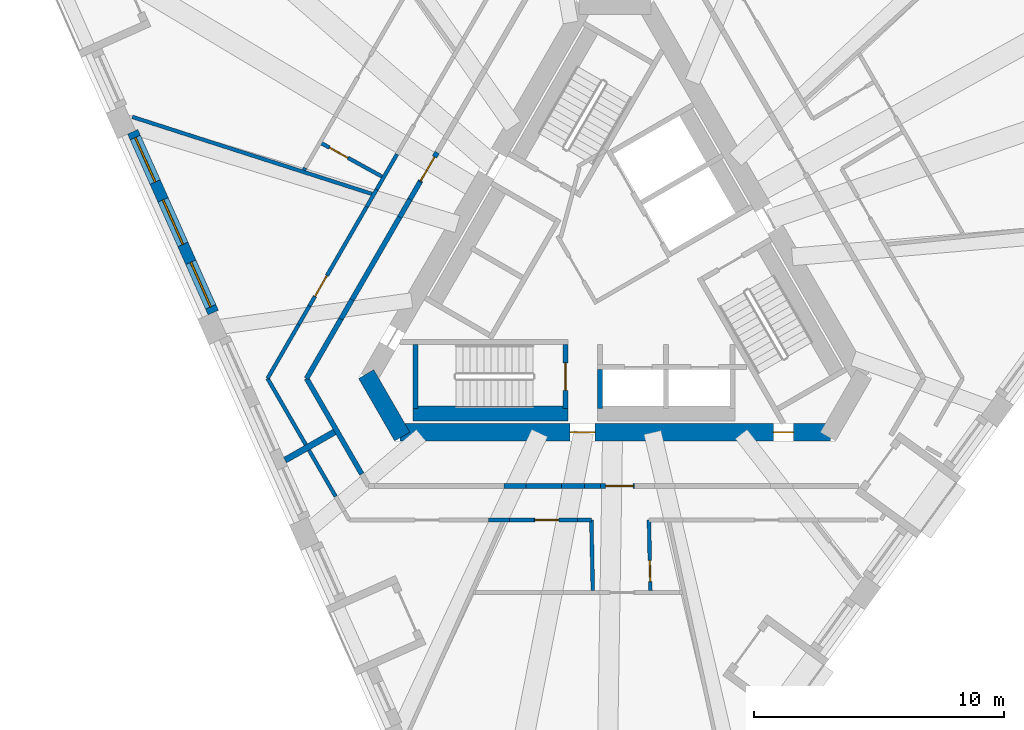
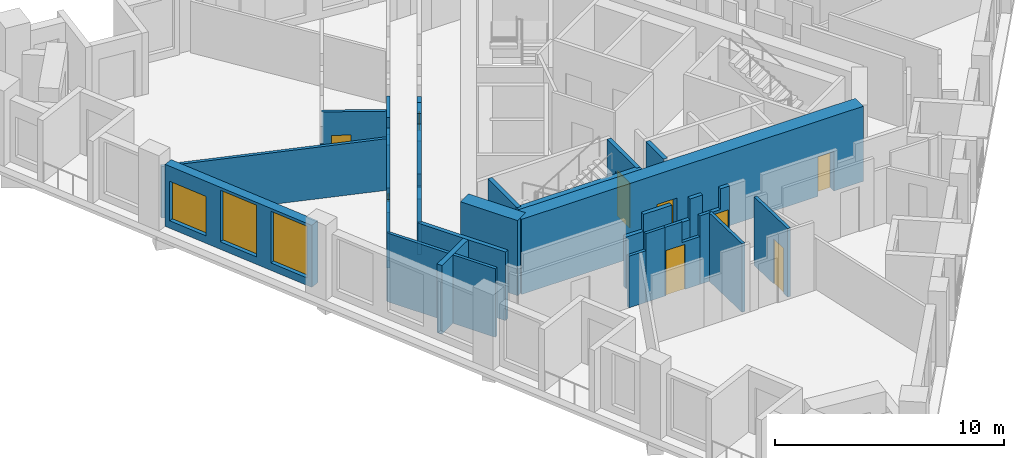
# One storey, part 3 of 11: 35 walls, 9 doors, 3 windows, 12 openings.
"""IFC4 building model written with IfcOpenShell, lengths in metres."""

from ifc_helpers import new_model, si_unit, direction, frame, frame_2d, origin, place, context, subcontext, project, spatial, polyline, rectangle, outline, extrude, material, layer, layer_set, type_object, element, fill, save


model = new_model("IFC4")

# Units and contexts
model_context = context("Model", 3, precision=1e-05, world=origin(), true_north=direction((0.0, 1.0)))
body_context = subcontext(model_context, "Body", "Model", "MODEL_VIEW")
ifc_project = project(units=[si_unit("LENGTHUNIT", "METRE"), si_unit("AREAUNIT", "SQUARE_METRE"), si_unit("VOLUMEUNIT", "CUBIC_METRE"), si_unit("PLANEANGLEUNIT", "RADIAN"), si_unit("MASSUNIT", "GRAM", prefix="KILO")], contexts=[model_context])

# Site, building, storey
site_placement = place(None, origin())
site = spatial("IfcSite", under=ifc_project, at=site_placement, CompositionType="ELEMENT")
building_placement = place(site_placement, origin())
building = spatial("IfcBuilding", under=site, at=building_placement, Name="Tramontana Tower", CompositionType="ELEMENT")
storey_placement = place(building_placement, frame((0.0, 0.0, 241.199951171875)))
storey = spatial("IfcBuildingStorey", under=building, at=storey_placement, Name="L56", CompositionType="ELEMENT", Elevation=241.199951171875)

# Wall
ifc_material_1 = material(Name="Concrete 70 MPa", Category="concrete")
ifc_layer_1 = layer(ifc_material_1, 0.699951171875)
ifc_layer_set_1 = layer_set([ifc_layer_1], Name="Core wall 700 70 MPa")
wall_type_1 = type_object("IfcWallType", Name="Core wall 700 70 MPa", PredefinedType="SHEAR", material=ifc_layer_set_1)
wall_1_placement = place(storey_placement, frame((-9.94482421875, -4.074951171875, 0.0), z_axis=(0.0, 0.0, 1.0), x_axis=(0.499995765644, -0.866027848477, 0.0)))
element("IfcWall", 1, at=wall_1_placement, inside=storey, type_object=wall_type_1, Name="Core wall C2 L56", PredefinedType="SHEAR", context=body_context, shape_type="SweptSolid", body=[
    extrude(rectangle(XDim=2.88671875, YDim=0.699951171875, at=frame_2d((1.443359375, 0.0))), origin(), (0.0, 0.0, 1.0), 4.0),
])

# Wall, openings, doors
wall_2_placement = place(storey_placement, frame((-8.6025390625, -6.39990234375, 0.0), z_axis=(0.0, 0.0, 1.0), x_axis=(1.0, 0.0, 0.0)))
wall_2 = element("IfcWall", 2, at=wall_2_placement, inside=storey, type_object=wall_type_1, Name="Core wall C3 L56", PredefinedType="SHEAR", context=body_context, shape_type="SweptSolid", body=[
    extrude(rectangle(XDim=17.205078125, YDim=0.699951171875, at=frame_2d((8.6025390625, 0.0))), origin(), (0.0, 0.0, 1.0), 4.0),
])
opening_1_placement = place(wall_2_placement, frame((6.8076171875, 0.0, 0.0)))
opening_1 = element("IfcOpeningElement", 3, at=opening_1_placement, cuts=wall_2, Name="Opening RG2", PredefinedType="OPENING", context=body_context, shape_type="SweptSolid", body=[
    extrude(rectangle(XDim=1.0, YDim=2.39990234375, at=frame_2d((0.5, 1.199951171875))), frame((0.0, 0.35986328125, 0.0), z_axis=(0.0, -1.0, 0.0), x_axis=(1.0, 0.0, 0.0)), (0.0, 0.0, 1.0), 0.719970703125),
])
opening_2_placement = place(wall_2_placement, frame((14.921630859375, 0.0, 0.0)))
opening_2 = element("IfcOpeningElement", 4, at=opening_2_placement, cuts=wall_2, Name="Opening PD2", PredefinedType="OPENING", context=body_context, shape_type="SweptSolid", body=[
    extrude(rectangle(XDim=0.800048828125, YDim=2.10009765625, at=frame_2d((0.39990234375, 1.050048828125))), frame((0.0, 0.35986328125, 0.0), z_axis=(0.0, -1.0, 0.0), x_axis=(1.0, 0.0, 0.0)), (0.0, 0.0, 1.0), 0.719970703125),
])
ifc_material_2 = material(Name="Painted steel", Category="steel")
door_type_1 = type_object("IfcDoorType", Name="CUPBOARD DOOR 800", OperationType="SINGLE_SWING_LEFT", PredefinedType="DOOR", material=ifc_material_2)
door_1_placement = place(opening_2_placement, origin())
door_1 = element("IfcDoor", 5, at=door_1_placement, inside=storey, type_object=door_type_1, Name="Door PD2", OperationType="SINGLE_SWING_RIGHT", OverallHeight=2.10009765625, OverallWidth=0.800048828125, PredefinedType="DOOR", context=body_context, shape_type="SweptSolid", body=[
    extrude(rectangle(XDim=0.800048828125, YDim=2.10009765625, at=frame_2d((0.39990234375, 1.050048828125))), frame((0.0, 0.02490234375, 0.0), z_axis=(0.0, -1.0, 0.0), x_axis=(1.0, 0.0, 0.0)), (0.0, 0.0, 1.0), 0.050048828125),
])
fill(opening_2, door_1)
ifc_material_3 = material(Name="Painted steel", Category="steel")
door_type_2 = type_object("IfcDoorType", Name="RING DOOR 1000", OperationType="SINGLE_SWING_LEFT", PredefinedType="DOOR", material=ifc_material_3)
door_2_placement = place(opening_1_placement, origin())
door_2 = element("IfcDoor", 6, at=door_2_placement, inside=storey, type_object=door_type_2, Name="Door RG2", OperationType="SINGLE_SWING_LEFT", OverallHeight=2.39990234375, OverallWidth=1.0, PredefinedType="DOOR", context=body_context, shape_type="SweptSolid", body=[
    extrude(rectangle(XDim=1.0, YDim=2.39990234375, at=frame_2d((0.5, 1.199951171875))), frame((0.0, 0.02490234375, 0.0), z_axis=(0.0, -1.0, 0.0), x_axis=(1.0, 0.0, 0.0)), (0.0, 0.0, 1.0), 0.050048828125),
])
fill(opening_1, door_2)

# Wall, opening, door
ifc_material_4 = material(Name="Blockwork", Category="masonry")
ifc_layer_2 = layer(ifc_material_4, 0.199951171875)
ifc_layer_set_2 = layer_set([ifc_layer_2], Name="ENTRY WALL 200")
wall_type_2 = type_object("IfcWallType", Name="ENTRY WALL 200", PredefinedType="SOLIDWALL", material=ifc_layer_set_2)
wall_3_placement = place(storey_placement, frame((0.774169921875, -8.550048828125, 0.0), z_axis=(0.0, 0.0, 1.0), x_axis=(-1.0, 0.0, 0.0)))
wall_3 = element("IfcWall", 7, at=wall_3_placement, inside=storey, type_object=wall_type_2, Name="Wall v60-ew1-5", PredefinedType="SOLIDWALL", context=body_context, shape_type="SweptSolid", body=[
    extrude(outline(polyline([(0.0, 0.0), (1.359375, 0.0), (1.359375, 2.550048828125), (0.459228515625, 2.550048828125), (0.459228515625, 3.650146484375), (0.0, 3.650146484375), (0.0, 0.0)])), frame((0.0, 0.10009765625, 0.0), z_axis=(0.0, -1.0, 0.0), x_axis=(1.0, 0.0, 0.0)), (0.0, 0.0, 1.0), 0.199951171875),
])
opening_3_placement = place(wall_3_placement, frame((0.050048828125, 0.0, 0.0)))
opening_3 = element("IfcOpeningElement", 8, at=opening_3_placement, cuts=wall_3, Name="Opening B6A-18", PredefinedType="OPENING", context=body_context, shape_type="SweptSolid", body=[
    extrude(rectangle(XDim=1.10009765625, YDim=2.39990234375, at=frame_2d((0.550048828125, 1.199951171875))), frame((0.0, 0.10986328125, 0.0), z_axis=(0.0, -1.0, 0.0), x_axis=(1.0, 0.0, 0.0)), (0.0, 0.0, 1.0), 0.219970703125),
])
ifc_material_5 = material(Name="Painted timber", Category="wood")
door_type_3 = type_object("IfcDoorType", Name="DOOR ENTRY 1100", OperationType="SINGLE_SWING_LEFT", PredefinedType="DOOR", material=ifc_material_5)
door_3_placement = place(opening_3_placement, origin())
door_3 = element("IfcDoor", 9, at=door_3_placement, inside=storey, type_object=door_type_3, Name="Door B6A-18", OperationType="SINGLE_SWING_RIGHT", OverallHeight=2.39990234375, OverallWidth=1.10009765625, PredefinedType="DOOR", context=body_context, shape_type="SweptSolid", body=[
    extrude(rectangle(XDim=1.10009765625, YDim=2.39990234375, at=frame_2d((0.550048828125, 1.199951171875))), frame((0.0, 0.02490234375, 0.0), z_axis=(0.0, -1.0, 0.0), x_axis=(1.0, 0.0, 0.0)), (0.0, 0.0, 1.0), 0.050048828125),
])
fill(opening_3, door_3)

# Walls
wall_4_placement = place(storey_placement, frame((-0.585205078125, -8.550048828125, 0.0), z_axis=(0.0, 0.0, 1.0), x_axis=(-1.0, 0.0, 0.0)))
element("IfcWall", 10, at=wall_4_placement, inside=storey, type_object=wall_type_2, Name="Wall v60-ew1-6", PredefinedType="SOLIDWALL", context=body_context, shape_type="SweptSolid", body=[
    extrude(rectangle(XDim=0.6328125, YDim=0.199951171875, at=frame_2d((0.31640625, 0.0))), origin(), (0.0, 0.0, 1.0), 3.650146484375),
])
wall_5_placement = place(storey_placement, frame((-1.218017578125, -8.550048828125, 0.0), z_axis=(0.0, 0.0, 1.0), x_axis=(-1.0, 0.0, 0.0)))
element("IfcWall", 11, at=wall_5_placement, inside=storey, type_object=wall_type_2, Name="Wall v60-ew1-7", PredefinedType="SOLIDWALL", context=body_context, shape_type="SweptSolid", body=[
    extrude(rectangle(XDim=0.9169921875, YDim=0.199951171875, at=frame_2d((0.45849609375, 0.0))), origin(), (0.0, 0.0, 1.0), 2.550048828125),
])
wall_6_placement = place(storey_placement, frame((-2.135009765625, -8.550048828125, 0.0), z_axis=(0.0, 0.0, 1.0), x_axis=(-1.0, 0.0, 0.0)))
element("IfcWall", 12, at=wall_6_placement, inside=storey, type_object=wall_type_2, Name="Wall v60-ew1-8", PredefinedType="SOLIDWALL", context=body_context, shape_type="SweptSolid", body=[
    extrude(rectangle(XDim=1.4296875, YDim=0.199951171875, at=frame_2d((0.71484375, 0.0))), origin(), (0.0, 0.0, 1.0), 3.650146484375),
])
wall_7_placement = place(storey_placement, frame((-3.564697265625, -8.550048828125, 0.0), z_axis=(0.0, 0.0, 1.0), x_axis=(-1.0, 0.0, 0.0)))
element("IfcWall", 13, at=wall_7_placement, inside=storey, type_object=wall_type_2, Name="Wall v60-ew1-9", PredefinedType="SOLIDWALL", context=body_context, shape_type="SweptSolid", body=[
    extrude(rectangle(XDim=0.88330078125, YDim=0.199951171875, at=frame_2d((0.441650390625, 0.0))), origin(), (0.0, 0.0, 1.0), 2.75),
])
wall_8_placement = place(storey_placement, frame((-10.12255859375, -8.067138671875, 0.0), z_axis=(0.0, 0.0, 1.0), x_axis=(-0.500005339912, 0.866022320763, 0.0)))
element("IfcWall", 14, at=wall_8_placement, inside=storey, type_object=wall_type_2, Name="Wall v60-ew2-1", PredefinedType="SOLIDWALL", context=body_context, shape_type="SweptSolid", body=[
    extrude(rectangle(XDim=4.40771484375, YDim=0.199951171875, at=frame_2d((2.203857421875, 0.0))), origin(), (0.0, 0.0, 1.0), 3.650146484375),
])
wall_9_placement = place(storey_placement, frame((-12.326416015625, -4.25, 0.0), z_axis=(0.0, 0.0, 1.0), x_axis=(0.499994514761, 0.866028570666, 0.0)))
element("IfcWall", 15, at=wall_9_placement, inside=storey, type_object=wall_type_2, Name="Wall v60-ew3-0", PredefinedType="SOLIDWALL", context=body_context, shape_type="SweptSolid", body=[
    extrude(rectangle(XDim=2.74462890625, YDim=0.199951171875, at=frame_2d((1.372314453125, 0.0))), origin(), (0.0, 0.0, 1.0), 3.650146484375),
])
wall_10_placement = place(storey_placement, frame((-10.9541015625, -1.873046875, 0.0), z_axis=(0.0, 0.0, 1.0), x_axis=(0.500016243463, 0.866016025414, 0.0)))
element("IfcWall", 16, at=wall_10_placement, inside=storey, type_object=wall_type_2, Name="Wall v60-ew3-1", PredefinedType="SOLIDWALL", context=body_context, shape_type="SweptSolid", body=[
    extrude(rectangle(XDim=0.88720703125, YDim=0.199951171875, at=frame_2d((0.443603515625, 0.0))), origin(), (0.0, 0.0, 1.0), 2.949951171875),
])
wall_11_placement = place(storey_placement, frame((-10.510498046875, -1.104736328125, 0.0), z_axis=(0.0, 0.0, 1.0), x_axis=(0.499997905474, 0.866026613056, 0.0)))
element("IfcWall", 17, at=wall_11_placement, inside=storey, type_object=wall_type_2, Name="Wall v60-ew3-2", PredefinedType="SOLIDWALL", context=body_context, shape_type="SweptSolid", body=[
    extrude(rectangle(XDim=3.810546875, YDim=0.199951171875, at=frame_2d((1.9052734375, 0.0))), origin(), (0.0, 0.0, 1.0), 3.650146484375),
])
wall_12_placement = place(storey_placement, frame((-8.605224609375, 2.1953125, 0.0), z_axis=(0.0, 0.0, 1.0), x_axis=(0.499911126926, 0.866076708598, 0.0)))
element("IfcWall", 18, at=wall_12_placement, inside=storey, type_object=wall_type_2, Name="Wall v60-ew3-3", PredefinedType="SOLIDWALL", context=body_context, shape_type="SweptSolid", body=[
    extrude(rectangle(XDim=0.821533203125, YDim=0.199951171875, at=frame_2d((0.41064453125, 0.0))), origin(), (0.0, 0.0, 1.0), 2.75),
])
wall_13_placement = place(storey_placement, frame((-8.194580078125, 2.90673828125, 0.0), z_axis=(0.0, 0.0, 1.0), x_axis=(0.500211976125, 0.865902984716, 0.0)))
element("IfcWall", 19, at=wall_13_placement, inside=storey, type_object=wall_type_2, Name="Wall v60-ew3-4", PredefinedType="SOLIDWALL", context=body_context, shape_type="SweptSolid", body=[
    extrude(rectangle(XDim=0.805908203125, YDim=0.199951171875, at=frame_2d((0.40283203125, 0.0))), origin(), (0.0, 0.0, 1.0), 3.650146484375),
])

# Wall, opening, door
wall_14_placement = place(storey_placement, frame((-7.79150390625, 3.6044921875, 0.0), z_axis=(0.0, 0.0, 1.0), x_axis=(0.500002290144, 0.866024081565, 0.0)))
wall_14 = element("IfcWall", 20, at=wall_14_placement, inside=storey, type_object=wall_type_2, Name="Wall v60-ew3-5", PredefinedType="SOLIDWALL", context=body_context, shape_type="SweptSolid", body=[
    extrude(outline(polyline([(0.0, 0.0), (1.359375, 0.0), (1.359375, 2.550048828125), (0.459228515625, 2.550048828125), (0.459228515625, 3.650146484375), (0.0, 3.650146484375), (0.0, 0.0)])), frame((0.0, 0.10009765625, 0.0), z_axis=(0.0, -1.0, 0.0), x_axis=(1.0, 0.0, 0.0)), (0.0, 0.0, 1.0), 0.199951171875),
])
opening_4_placement = place(wall_14_placement, frame((0.050048828125, 0.0, 0.0)))
opening_4 = element("IfcOpeningElement", 21, at=opening_4_placement, cuts=wall_14, Name="Opening B6A-17", PredefinedType="OPENING", context=body_context, shape_type="SweptSolid", body=[
    extrude(rectangle(XDim=1.10009765625, YDim=2.39990234375, at=frame_2d((0.550048828125, 1.199951171875))), frame((0.0, 0.10986328125, 0.0), z_axis=(0.0, -1.0, 0.0), x_axis=(1.0, 0.0, 0.0)), (0.0, 0.0, 1.0), 0.219970703125),
])
door_4_placement = place(opening_4_placement, origin())
door_4 = element("IfcDoor", 22, at=door_4_placement, inside=storey, type_object=door_type_3, Name="Door B6A-17", OperationType="SINGLE_SWING_LEFT", OverallHeight=2.39990234375, OverallWidth=1.10009765625, PredefinedType="DOOR", context=body_context, shape_type="SweptSolid", body=[
    extrude(rectangle(XDim=1.10009765625, YDim=2.39990234375, at=frame_2d((0.550048828125, 1.199951171875))), frame((0.0, 0.02490234375, 0.0), z_axis=(0.0, -1.0, 0.0), x_axis=(1.0, 0.0, 0.0)), (0.0, 0.0, 1.0), 0.050048828125),
])
fill(opening_4, door_4)

# Wall, openings, windows
ifc_material_6 = material(Name="Precast concrete 60 MPa", Category="concrete")
ifc_layer_3 = layer(ifc_material_6, 0.449951171875)
ifc_layer_set_3 = layer_set([ifc_layer_3], Name="Precast concrete 60 MPa, 450 mm")
wall_type_3 = type_object("IfcWallType", Name="EW1 Stone-faced precast wall 450", PredefinedType="SOLIDWALL", material=ifc_layer_set_3)
wall_15_placement = place(storey_placement, frame((-19.271484375, 5.606201171875, 0.0), z_axis=(0.0, 0.0, 1.0), x_axis=(0.406760076741, -0.913535023942, 0.0)))
wall_15 = element("IfcWall", 23, at=wall_15_placement, inside=storey, type_object=wall_type_3, Name="External wall L56 face 0 bay 2", PredefinedType="SOLIDWALL", context=body_context, shape_type="SweptSolid", body=[
    extrude(rectangle(XDim=7.906494140625, YDim=0.449951171875, at=frame_2d((3.953125, 0.0))), origin(), (0.0, 0.0, 1.0), 3.300048828125),
])
opening_5_placement = place(wall_15_placement, frame((0.251220703125, 0.0, 0.39990234375)))
opening_5 = element("IfcOpeningElement", 24, at=opening_5_placement, cuts=wall_15, Name="Opening M3L", PredefinedType="OPENING", context=body_context, shape_type="SweptSolid", body=[
    extrude(rectangle(XDim=1.949951171875, YDim=2.10009765625, at=frame_2d((0.97509765625, 1.050048828125))), frame((0.0, 0.23486328125, 0.0), z_axis=(0.0, -1.0, 0.0), x_axis=(1.0, 0.0, 0.0)), (0.0, 0.0, 1.0), 0.469970703125),
])
opening_6_placement = place(wall_15_placement, frame((2.978271484375, 0.0, 0.39990234375)))
opening_6 = element("IfcOpeningElement", 25, at=opening_6_placement, cuts=wall_15, Name="Opening M3", PredefinedType="OPENING", context=body_context, shape_type="SweptSolid", body=[
    extrude(rectangle(XDim=1.949951171875, YDim=2.75, at=frame_2d((0.97509765625, 1.375))), frame((0.0, 0.23486328125, 0.0), z_axis=(0.0, -1.0, 0.0), x_axis=(1.0, 0.0, 0.0)), (0.0, 0.0, 1.0), 0.469970703125),
])
opening_7_placement = place(wall_15_placement, frame((5.70556640625, 0.0, 0.39990234375)))
opening_7 = element("IfcOpeningElement", 26, at=opening_7_placement, cuts=wall_15, Name="Opening M3", PredefinedType="OPENING", context=body_context, shape_type="SweptSolid", body=[
    extrude(rectangle(XDim=1.949951171875, YDim=2.75, at=frame_2d((0.97509765625, 1.375))), frame((0.0, 0.23486328125, 0.0), z_axis=(0.0, -1.0, 0.0), x_axis=(1.0, 0.0, 0.0)), (0.0, 0.0, 1.0), 0.469970703125),
])
ifc_material_7 = material(Name="Aluminum frame, double glazing unit", Category="aluminium")
window_type_1 = type_object("IfcWindowType", Name="M3 Window 1.95 x 2.75", PartitioningType="SINGLE_PANEL", PredefinedType="WINDOW", material=ifc_material_7)
window_1_placement = place(opening_6_placement, origin())
window_1 = element("IfcWindow", 27, at=window_1_placement, inside=storey, type_object=window_type_1, Name="Window M3 L56 face 0 module 5", OverallHeight=2.75, OverallWidth=1.949951171875, PartitioningType="SINGLE_PANEL", PredefinedType="WINDOW", context=body_context, shape_type="SweptSolid", body=[
    extrude(rectangle(XDim=1.949951171875, YDim=2.75, at=frame_2d((0.97509765625, 1.375))), frame((0.0, 0.030029296875, 0.0), z_axis=(0.0, -1.0, 0.0), x_axis=(1.0, 0.0, 0.0)), (0.0, 0.0, 1.0), 0.06005859375),
])
fill(opening_6, window_1)
window_2_placement = place(opening_7_placement, origin())
window_2 = element("IfcWindow", 28, at=window_2_placement, inside=storey, type_object=window_type_1, Name="Window M3 L56 face 0 module 6", OverallHeight=2.75, OverallWidth=1.949951171875, PartitioningType="SINGLE_PANEL", PredefinedType="WINDOW", context=body_context, shape_type="SweptSolid", body=[
    extrude(rectangle(XDim=1.949951171875, YDim=2.75, at=frame_2d((0.97509765625, 1.375))), frame((0.0, 0.030029296875, 0.0), z_axis=(0.0, -1.0, 0.0), x_axis=(1.0, 0.0, 0.0)), (0.0, 0.0, 1.0), 0.06005859375),
])
fill(opening_7, window_2)
ifc_material_8 = material(Name="Aluminum frame, double glazing unit", Category="aluminium")
window_type_2 = type_object("IfcWindowType", Name="M3L Window 1.95 x 2.1", PartitioningType="SINGLE_PANEL", PredefinedType="WINDOW", material=ifc_material_8)
window_3_placement = place(opening_5_placement, origin())
window_3 = element("IfcWindow", 29, at=window_3_placement, inside=storey, type_object=window_type_2, Name="Window M3L L56 face 0 module 4", OverallHeight=2.10009765625, OverallWidth=1.949951171875, PartitioningType="SINGLE_PANEL", PredefinedType="WINDOW", context=body_context, shape_type="SweptSolid", body=[
    extrude(rectangle(XDim=1.949951171875, YDim=2.10009765625, at=frame_2d((0.97509765625, 1.050048828125))), frame((0.0, 0.030029296875, 0.0), z_axis=(0.0, -1.0, 0.0), x_axis=(1.0, 0.0, 0.0)), (0.0, 0.0, 1.0), 0.06005859375),
])
fill(opening_5, window_3)

# Walls
ifc_material_9 = material(Name="Gypsum board partition")
ifc_layer_4 = layer(ifc_material_9, 0.14990234375)
ifc_layer_set_4 = layer_set([ifc_layer_4], Name="PARTITION 150")
wall_type_4 = type_object("IfcWallType", Name="PARTITION 150", PredefinedType="PARTITIONING", material=ifc_layer_set_4)
wall_16_placement = place(storey_placement, frame((-13.88525390625, -4.25, 0.0), z_axis=(0.0, 0.0, 1.0), x_axis=(0.499999788377, 0.866025525965, 0.0)))
element("IfcWall", 30, at=wall_16_placement, inside=storey, type_object=wall_type_4, Name="Wall v60-pw00-0", PredefinedType="PARTITIONING", context=body_context, shape_type="SweptSolid", body=[
    extrude(rectangle(XDim=2.4892578125, YDim=0.14990234375, at=frame_2d((1.24462890625, 0.0))), origin(), (0.0, 0.0, 1.0), 3.650146484375),
])
wall_17_placement = place(storey_placement, frame((-12.640625, -2.09423828125, 0.0), z_axis=(0.0, 0.0, 1.0), x_axis=(0.500068347527, 0.865985939725, 0.0)))
element("IfcWall", 31, at=wall_17_placement, inside=storey, type_object=wall_type_4, Name="Wall v60-pw00-1", PredefinedType="PARTITIONING", context=body_context, shape_type="SweptSolid", body=[
    extrude(rectangle(XDim=0.85546875, YDim=0.14990234375, at=frame_2d((0.427734375, 0.0))), origin(), (0.0, 0.0, 1.0), 2.949951171875),
])

# Wall, opening, door
wall_18_placement = place(storey_placement, frame((-12.212890625, -1.353515625, 0.0), z_axis=(0.0, 0.0, 1.0), x_axis=(0.500001111708, 0.866024761939, 0.0)))
wall_18 = element("IfcWall", 32, at=wall_18_placement, inside=storey, type_object=wall_type_4, Name="Wall v60-pw00-2", PredefinedType="PARTITIONING", context=body_context, shape_type="SweptSolid", body=[
    extrude(rectangle(XDim=4.57568359375, YDim=0.14990234375, at=frame_2d((2.287841796875, 0.0))), origin(), (0.0, 0.0, 1.0), 3.650146484375),
])
opening_8_placement = place(wall_18_placement, frame((0.445068359375, 0.0, 0.0)))
opening_8 = element("IfcOpeningElement", 33, at=opening_8_placement, cuts=wall_18, Name="Opening B6A-03", PredefinedType="OPENING", context=body_context, shape_type="SweptSolid", body=[
    extrude(rectangle(XDim=0.949951171875, YDim=2.39990234375, at=frame_2d((0.47509765625, 1.199951171875))), frame((0.0, 0.0849609375, 0.0), z_axis=(0.0, -1.0, 0.0), x_axis=(1.0, 0.0, 0.0)), (0.0, 0.0, 1.0), 0.169921875),
])
ifc_material_10 = material(Name="Painted timber", Category="wood")
door_type_4 = type_object("IfcDoorType", Name="DOOR ROOM 950", OperationType="SINGLE_SWING_LEFT", PredefinedType="DOOR", material=ifc_material_10)
door_5_placement = place(opening_8_placement, origin())
door_5 = element("IfcDoor", 34, at=door_5_placement, inside=storey, type_object=door_type_4, Name="Door B6A-03", OperationType="SINGLE_SWING_LEFT", OverallHeight=2.39990234375, OverallWidth=0.949951171875, PredefinedType="DOOR", context=body_context, shape_type="SweptSolid", body=[
    extrude(rectangle(XDim=0.949951171875, YDim=2.39990234375, at=frame_2d((0.47509765625, 1.199951171875))), frame((0.0, 0.02490234375, 0.0), z_axis=(0.0, -1.0, 0.0), x_axis=(1.0, 0.0, 0.0)), (0.0, 0.0, 1.0), 0.050048828125),
])
fill(opening_8, door_5)

# Walls
wall_19_placement = place(storey_placement, frame((-9.925048828125, 2.609130859375, 0.0), z_axis=(0.0, 0.0, 1.0), x_axis=(0.499802134818, 0.866139611167, 0.0)))
element("IfcWall", 35, at=wall_19_placement, inside=storey, type_object=wall_type_4, Name="Wall v60-pw00-3", PredefinedType="PARTITIONING", context=body_context, shape_type="SweptSolid", body=[
    extrude(rectangle(XDim=0.795654296875, YDim=0.14990234375, at=frame_2d((0.39794921875, 0.0))), origin(), (0.0, 0.0, 1.0), 2.75),
])
wall_20_placement = place(storey_placement, frame((-9.52734375, 3.29833984375, 0.0), z_axis=(0.0, 0.0, 1.0), x_axis=(0.500094991843, 0.865970553272, 0.0)))
element("IfcWall", 36, at=wall_20_placement, inside=storey, type_object=wall_type_4, Name="Wall v60-pw00-4", PredefinedType="PARTITIONING", context=body_context, shape_type="SweptSolid", body=[
    extrude(rectangle(XDim=1.626220703125, YDim=0.14990234375, at=frame_2d((0.81298828125, 0.0))), origin(), (0.0, 0.0, 1.0), 3.650146484375),
])
wall_21_placement = place(storey_placement, frame((-12.42822265625, 4.07373046875, 0.0), z_axis=(0.0, 0.0, 1.0), x_axis=(0.500943559977, 0.865479953388, 0.0)))
element("IfcWall", 37, at=wall_21_placement, inside=storey, type_object=wall_type_4, Name="Wall v60-pw01-0", PredefinedType="PARTITIONING", context=body_context, shape_type="SweptSolid", body=[
    extrude(rectangle(XDim=0.103759765625, YDim=0.14990234375, at=frame_2d((0.0517578125, 0.0))), origin(), (0.0, 0.0, 1.0), 2.75),
])
wall_22_placement = place(storey_placement, frame((-11.1650390625, -8.96142578125, 0.0), z_axis=(0.0, 0.0, 1.0), x_axis=(-0.500009912158, 0.866019680922, 0.0)))
element("IfcWall", 38, at=wall_22_placement, inside=storey, type_object=wall_type_4, Name="Wall v60-pw04-2", PredefinedType="PARTITIONING", context=body_context, shape_type="SweptSolid", body=[
    extrude(rectangle(XDim=5.4404296875, YDim=0.14990234375, at=frame_2d((2.72021484375, 0.0))), origin(), (0.0, 0.0, 1.0), 3.650146484375),
])
wall_23_placement = place(storey_placement, frame((-9.715087890625, 3.122802734375, 0.0), z_axis=(0.0, 0.0, 1.0), x_axis=(-0.952031844805, 0.305998964831, 0.0)))
element("IfcWall", 39, at=wall_23_placement, inside=storey, type_object=wall_type_4, Name="Wall v60-pw05-0", PredefinedType="PARTITIONING", context=body_context, shape_type="SweptSolid", body=[
    extrude(rectangle(XDim=10.056884765625, YDim=0.14990234375, at=frame_2d((5.0283203125, 0.0))), origin(), (0.0, 0.0, 1.0), 2.75),
])

# Wall, opening, door
wall_24_placement = place(storey_placement, frame((-9.25048828125, 3.781982421875, 0.0), z_axis=(0.0, 0.0, 1.0), x_axis=(-0.876043224435, 0.482232587991, 0.0)))
wall_24 = element("IfcWall", 40, at=wall_24_placement, inside=storey, type_object=wall_type_4, Name="Wall v60-pw06", PredefinedType="PARTITIONING", context=body_context, shape_type="SweptSolid", body=[
    extrude(rectangle(XDim=2.896484375, YDim=0.14990234375, at=frame_2d((1.4482421875, 0.0))), origin(), (0.0, 0.0, 1.0), 3.650146484375),
])
opening_9_placement = place(wall_24_placement, frame((1.6201171875, 0.0, 0.0)))
opening_9 = element("IfcOpeningElement", 41, at=opening_9_placement, cuts=wall_24, Name="Opening B6A-16", PredefinedType="OPENING", context=body_context, shape_type="SweptSolid", body=[
    extrude(rectangle(XDim=0.85009765625, YDim=2.39990234375, at=frame_2d((0.425048828125, 1.199951171875))), frame((0.0, 0.0849609375, 0.0), z_axis=(0.0, -1.0, 0.0), x_axis=(1.0, 0.0, 0.0)), (0.0, 0.0, 1.0), 0.169921875),
])
ifc_material_11 = material(Name="Painted timber", Category="wood")
door_type_5 = type_object("IfcDoorType", Name="DOOR BATH 850", OperationType="SINGLE_SWING_LEFT", PredefinedType="DOOR", material=ifc_material_11)
door_6_placement = place(opening_9_placement, origin())
door_6 = element("IfcDoor", 42, at=door_6_placement, inside=storey, type_object=door_type_5, Name="Door B6A-16", OperationType="SINGLE_SWING_RIGHT", OverallHeight=2.39990234375, OverallWidth=0.85009765625, PredefinedType="DOOR", context=body_context, shape_type="SweptSolid", body=[
    extrude(rectangle(XDim=0.85009765625, YDim=2.39990234375, at=frame_2d((0.425048828125, 1.199951171875))), frame((0.0, 0.02490234375, 0.0), z_axis=(0.0, -1.0, 0.0), x_axis=(1.0, 0.0, 0.0)), (0.0, 0.0, 1.0), 0.050048828125),
])
fill(opening_9, door_6)

# Wall
wall_25_placement = place(storey_placement, frame((-0.948486328125, -9.89990234375, 0.0), z_axis=(0.0, 0.0, 1.0), x_axis=(-1.0, 0.0, 0.0)))
element("IfcWall", 43, at=wall_25_placement, inside=storey, type_object=wall_type_4, Name="Wall v60-pw09-0", PredefinedType="PARTITIONING", context=body_context, shape_type="SweptSolid", body=[
    extrude(rectangle(XDim=0.546875, YDim=0.14990234375, at=frame_2d((0.2734375, 0.0))), origin(), (0.0, 0.0, 1.0), 3.650146484375),
])

# Wall, opening, door
wall_26_placement = place(storey_placement, frame((-1.495361328125, -9.89990234375, 0.0), z_axis=(0.0, 0.0, 1.0), x_axis=(-1.0, 0.0, 0.0)))
wall_26 = element("IfcWall", 44, at=wall_26_placement, inside=storey, type_object=wall_type_4, Name="Wall v60-pw09-1", PredefinedType="PARTITIONING", context=body_context, shape_type="SweptSolid", body=[
    extrude(outline(polyline([(0.0, 0.0), (1.748291015625, 0.0), (1.748046875, 3.650146484375), (0.8916015625, 3.650146484375), (0.8916015625, 2.550048828125), (0.0, 2.550048828125), (0.0, 0.0)])), frame((0.0, 0.074951171875, 0.0), z_axis=(0.0, -1.0, 0.0), x_axis=(1.0, 0.0, 0.0)), (0.0, 0.0, 1.0), 0.14990234375),
])
opening_10_placement = place(wall_26_placement, frame((0.748046875, 0.0, 0.0)))
opening_10 = element("IfcOpeningElement", 45, at=opening_10_placement, cuts=wall_26, Name="Opening B6A-04", PredefinedType="OPENING", context=body_context, shape_type="SweptSolid", body=[
    extrude(rectangle(XDim=0.949951171875, YDim=2.39990234375, at=frame_2d((0.47509765625, 1.199951171875))), frame((0.0, 0.0849609375, 0.0), z_axis=(0.0, -1.0, 0.0), x_axis=(1.0, 0.0, 0.0)), (0.0, 0.0, 1.0), 0.169921875),
])
door_7_placement = place(opening_10_placement, origin())
door_7 = element("IfcDoor", 46, at=door_7_placement, inside=storey, type_object=door_type_4, Name="Door B6A-04", OperationType="SINGLE_SWING_RIGHT", OverallHeight=2.39990234375, OverallWidth=0.949951171875, PredefinedType="DOOR", context=body_context, shape_type="SweptSolid", body=[
    extrude(rectangle(XDim=0.949951171875, YDim=2.39990234375, at=frame_2d((0.47509765625, 1.199951171875))), frame((0.0, 0.02490234375, 0.0), z_axis=(0.0, -1.0, 0.0), x_axis=(1.0, 0.0, 0.0)), (0.0, 0.0, 1.0), 0.050048828125),
])
fill(opening_10, door_7)

# Walls
wall_27_placement = place(storey_placement, frame((-3.24365234375, -9.89990234375, 0.0), z_axis=(0.0, 0.0, 1.0), x_axis=(-1.0, 0.0, 0.0)))
element("IfcWall", 47, at=wall_27_placement, inside=storey, type_object=wall_type_4, Name="Wall v60-pw09-2", PredefinedType="PARTITIONING", context=body_context, shape_type="SweptSolid", body=[
    extrude(rectangle(XDim=0.96728515625, YDim=0.14990234375, at=frame_2d((0.483642578125, 0.0))), origin(), (0.0, 0.0, 1.0), 3.650146484375),
])
wall_28_placement = place(storey_placement, frame((-4.2109375, -9.89990234375, 0.0), z_axis=(0.0, 0.0, 1.0), x_axis=(-1.0, 0.0, 0.0)))
element("IfcWall", 48, at=wall_28_placement, inside=storey, type_object=wall_type_4, Name="Wall v60-pw09-3", PredefinedType="PARTITIONING", context=body_context, shape_type="SweptSolid", body=[
    extrude(rectangle(XDim=0.85595703125, YDim=0.14990234375, at=frame_2d((0.427978515625, 0.0))), origin(), (0.0, 0.0, 1.0), 2.75),
])
wall_29_placement = place(storey_placement, frame((-0.890869140625, -12.72509765625, 0.0), z_axis=(0.0, 0.0, 1.0), x_axis=(-0.020389814815, 0.999792106116, 0.0)))
element("IfcWall", 49, at=wall_29_placement, inside=storey, type_object=wall_type_4, Name="Wall v60-pw10", PredefinedType="PARTITIONING", context=body_context, shape_type="SweptSolid", body=[
    extrude(rectangle(XDim=2.82568359375, YDim=0.14990234375, at=frame_2d((1.412841796875, 0.0))), origin(), (0.0, 0.0, 1.0), 3.650146484375),
])

# Wall, opening, door
wall_30_placement = place(storey_placement, frame((1.35205078125, -9.89990234375, 0.0), z_axis=(0.0, 0.0, 1.0), x_axis=(0.020303452986, -0.999793863652, 0.0)))
wall_30 = element("IfcWall", 50, at=wall_30_placement, inside=storey, type_object=wall_type_4, Name="Wall v60-pw12", PredefinedType="PARTITIONING", context=body_context, shape_type="SweptSolid", body=[
    extrude(rectangle(XDim=2.82568359375, YDim=0.14990234375, at=frame_2d((1.412841796875, 0.0))), origin(), (0.0, 0.0, 1.0), 3.650146484375),
])
opening_11_placement = place(wall_30_placement, frame((1.6201171875, 0.0, 0.0)))
opening_11 = element("IfcOpeningElement", 51, at=opening_11_placement, cuts=wall_30, Name="Opening B6A-05", PredefinedType="OPENING", context=body_context, shape_type="SweptSolid", body=[
    extrude(rectangle(XDim=0.85009765625, YDim=2.39990234375, at=frame_2d((0.425048828125, 1.199951171875))), frame((0.0, 0.0849609375, 0.0), z_axis=(0.0, -1.0, 0.0), x_axis=(1.0, 0.0, 0.0)), (0.0, 0.0, 1.0), 0.169921875),
])
door_8_placement = place(opening_11_placement, origin())
door_8 = element("IfcDoor", 52, at=door_8_placement, inside=storey, type_object=door_type_5, Name="Door B6A-05", OperationType="SINGLE_SWING_LEFT", OverallHeight=2.39990234375, OverallWidth=0.85009765625, PredefinedType="DOOR", context=body_context, shape_type="SweptSolid", body=[
    extrude(rectangle(XDim=0.85009765625, YDim=2.39990234375, at=frame_2d((0.425048828125, 1.199951171875))), frame((0.0, 0.02490234375, 0.0), z_axis=(0.0, -1.0, 0.0), x_axis=(1.0, 0.0, 0.0)), (0.0, 0.0, 1.0), 0.050048828125),
])
fill(opening_11, door_8)

# Walls
ifc_material_12 = material(Name="Blockwork", Category="masonry")
ifc_layer_5 = layer(ifc_material_12, 0.25)
ifc_layer_set_5 = layer_set([ifc_layer_5], Name="PARTY WALL 250")
wall_type_5 = type_object("IfcWallType", Name="PARTY WALL 250", PredefinedType="SOLIDWALL", material=ifc_layer_set_5)
wall_31_placement = place(storey_placement, frame((-11.2080078125, -6.386962890625, 0.0), z_axis=(0.0, 0.0, 1.0), x_axis=(-0.868850228445, -0.495075025153, 0.0)))
element("IfcWall", 53, at=wall_31_placement, inside=storey, type_object=wall_type_5, Name="Wall v60-pw03", PredefinedType="SOLIDWALL", context=body_context, shape_type="SweptSolid", body=[
    extrude(rectangle(XDim=2.2744140625, YDim=0.25, at=frame_2d((1.13720703125, 0.0))), origin(), (0.0, 0.0, 1.0), 3.650146484375),
])
ifc_material_13 = material(Name="Concrete 70 MPa", Category="concrete")
ifc_layer_6 = layer(ifc_material_13, 0.60009765625)
ifc_layer_set_6 = layer_set([ifc_layer_6], Name="Concrete 70 MPa, 600 mm")
wall_type_6 = type_object("IfcWallType", Name="RC SHAFT BACK WALL 600", PredefinedType="SOLIDWALL", material=ifc_layer_set_6)
wall_32_placement = place(storey_placement, frame((-8.080078125, -5.64990234375, 0.0), z_axis=(0.0, 0.0, 1.0), x_axis=(1.0, 0.0, 0.0)))
element("IfcWall", 54, at=wall_32_placement, inside=storey, type_object=wall_type_6, Name="Wall st2-back", PredefinedType="SOLIDWALL", context=body_context, shape_type="SweptSolid", body=[
    extrude(rectangle(XDim=6.2001953125, YDim=0.60009765625, at=frame_2d((3.10009765625, 0.0))), origin(), (0.0, 0.0, 1.0), 3.650146484375),
])
ifc_material_14 = material(Name="Concrete 70 MPa", Category="concrete")
ifc_layer_7 = layer(ifc_material_14, 0.199951171875)
ifc_layer_set_7 = layer_set([ifc_layer_7], Name="Concrete 70 MPa, 200 mm")
wall_type_7 = type_object("IfcWallType", Name="RC STAIR AND SHAFT WALL 200", PredefinedType="SOLIDWALL", material=ifc_layer_set_7)
wall_33_placement = place(storey_placement, frame((-7.97998046875, -2.89990234375, 0.0), z_axis=(0.0, 0.0, 1.0), x_axis=(0.0, -1.0, 0.0)))
element("IfcWall", 55, at=wall_33_placement, inside=storey, type_object=wall_type_7, Name="Wall st2-far", PredefinedType="SOLIDWALL", context=body_context, shape_type="SweptSolid", body=[
    extrude(rectangle(XDim=2.550048828125, YDim=0.199951171875, at=frame_2d((1.27490234375, 0.0))), origin(), (0.0, 0.0, 1.0), 3.650146484375),
])

# Wall, opening, door
wall_34_placement = place(storey_placement, frame((-1.97998046875, -2.89990234375, 0.0), z_axis=(0.0, 0.0, 1.0), x_axis=(0.0, -1.0, 0.0)))
wall_34 = element("IfcWall", 56, at=wall_34_placement, inside=storey, type_object=wall_type_7, Name="Wall st2-near", PredefinedType="SOLIDWALL", context=body_context, shape_type="SweptSolid", body=[
    extrude(rectangle(XDim=2.550048828125, YDim=0.199951171875, at=frame_2d((1.27490234375, 0.0))), origin(), (0.0, 0.0, 1.0), 3.650146484375),
])
opening_12_placement = place(wall_34_placement, frame((0.72509765625, 0.0, 0.0)))
opening_12 = element("IfcOpeningElement", 57, at=opening_12_placement, cuts=wall_34, Name="Opening SD2", PredefinedType="OPENING", context=body_context, shape_type="SweptSolid", body=[
    extrude(rectangle(XDim=1.10009765625, YDim=2.39990234375, at=frame_2d((0.550048828125, 1.199951171875))), frame((0.0, 0.10986328125, 0.0), z_axis=(0.0, -1.0, 0.0), x_axis=(1.0, 0.0, 0.0)), (0.0, 0.0, 1.0), 0.219970703125),
])
ifc_material_15 = material(Name="Painted steel", Category="steel")
door_type_6 = type_object("IfcDoorType", Name="STAIR DOOR 1100", OperationType="SINGLE_SWING_LEFT", PredefinedType="DOOR", material=ifc_material_15)
door_9_placement = place(opening_12_placement, origin())
door_9 = element("IfcDoor", 58, at=door_9_placement, inside=storey, type_object=door_type_6, Name="Door SD2", OperationType="SINGLE_SWING_LEFT", OverallHeight=2.39990234375, OverallWidth=1.10009765625, PredefinedType="DOOR", context=body_context, shape_type="SweptSolid", body=[
    extrude(rectangle(XDim=1.10009765625, YDim=2.39990234375, at=frame_2d((0.550048828125, 1.199951171875))), frame((0.0, 0.02490234375, 0.0), z_axis=(0.0, -1.0, 0.0), x_axis=(1.0, 0.0, 0.0)), (0.0, 0.0, 1.0), 0.050048828125),
])
fill(opening_12, door_9)

# Wall
wall_35_placement = place(storey_placement, frame((-0.610107421875, -3.89990234375, 0.0), z_axis=(0.0, 0.0, 1.0), x_axis=(0.0, -1.0, 0.0)))
element("IfcWall", 59, at=wall_35_placement, inside=storey, type_object=wall_type_7, Name="Wall row1-side0", PredefinedType="SOLIDWALL", context=body_context, shape_type="SweptSolid", body=[
    extrude(rectangle(XDim=1.550048828125, YDim=0.199951171875, at=frame_2d((0.77490234375, 0.0))), origin(), (0.0, 0.0, 1.0), 3.650146484375),
])

save(model, "model.ifc")
